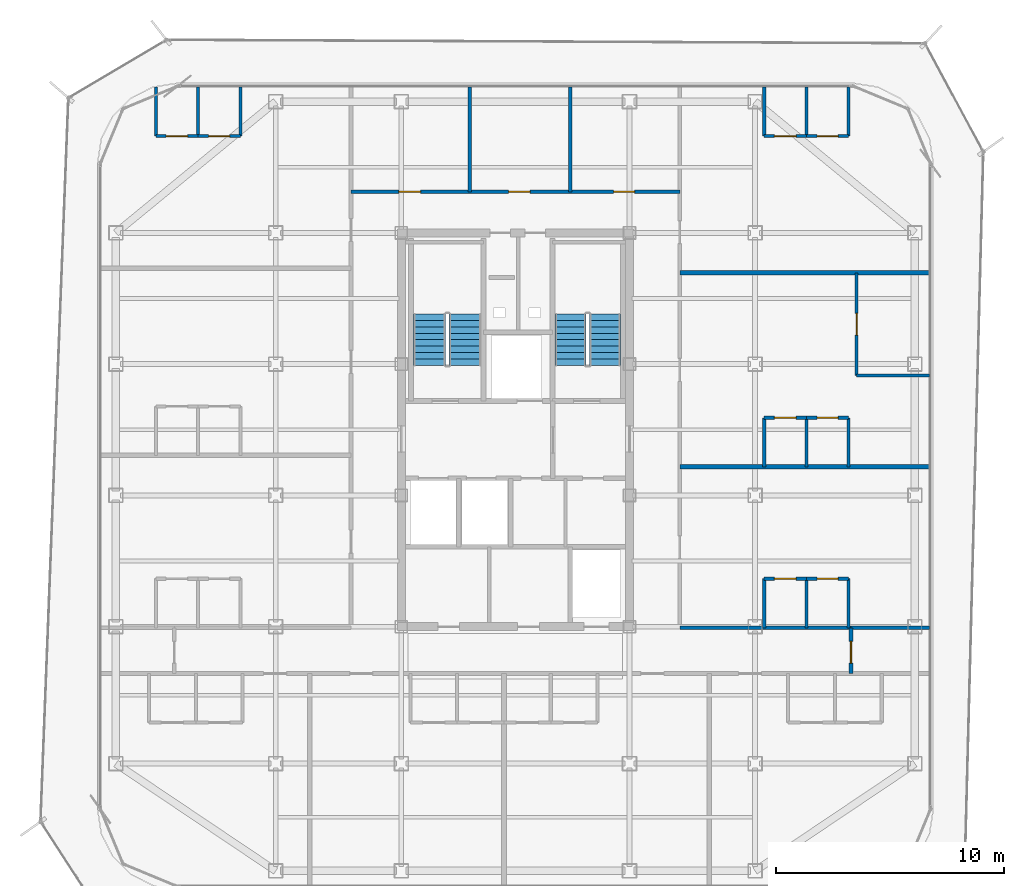
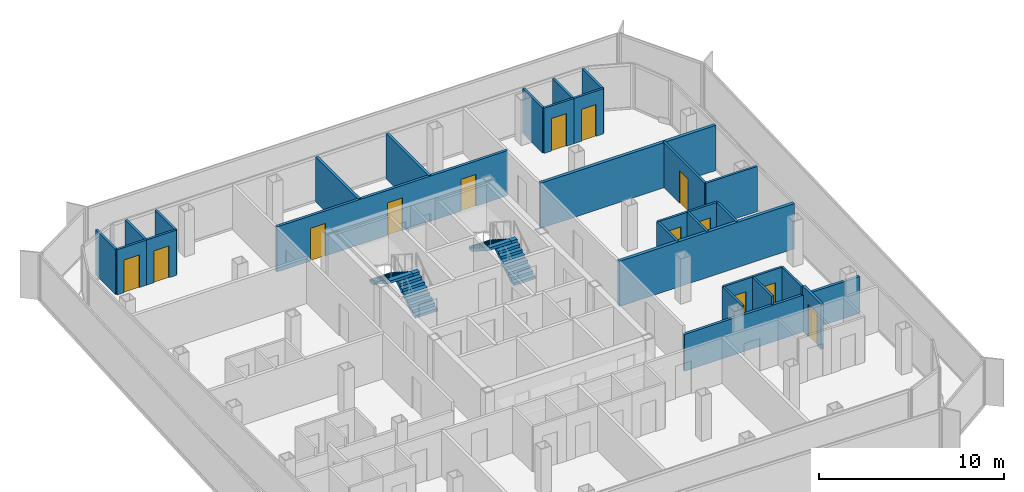
# One storey, part 12 of 16: 30 walls, 13 doors, 4 stair flights, 13 openings, 2 elements without a shape of their own.
"""IFC4 building model written with IfcOpenShell, lengths in metres."""

from ifc_helpers import new_model, si_unit, direction, frame, frame_2d, origin, place, context, subcontext, project, spatial, polyline, rectangle, outline, extrude, material, layer, layer_set, type_object, element, fill, aggregate, save


model = new_model("IFC4")

# Units and contexts
model_context = context("Model", 3, precision=1e-05, world=origin(), true_north=direction((0.0, 1.0)))
body_context = subcontext(model_context, "Body", "Model", "MODEL_VIEW")
ifc_project = project(units=[si_unit("LENGTHUNIT", "METRE"), si_unit("AREAUNIT", "SQUARE_METRE"), si_unit("VOLUMEUNIT", "CUBIC_METRE"), si_unit("PLANEANGLEUNIT", "RADIAN"), si_unit("MASSUNIT", "GRAM", prefix="KILO")], contexts=[model_context])

# Site, building, storey
site_placement = place(None, origin())
site = spatial("IfcSite", under=ifc_project, at=site_placement, CompositionType="ELEMENT")
building_placement = place(site_placement, origin())
building = spatial("IfcBuilding", under=site, at=building_placement, Name="Kolveth Station Tower", CompositionType="ELEMENT")
storey_placement = place(building_placement, frame((0.0, 0.0, 236.10009765625)))
storey = spatial("IfcBuildingStorey", under=building, at=storey_placement, Name="L67", CompositionType="ELEMENT", Elevation=236.10009765625)

# Wall, opening, door
ifc_material_1 = material(Name="Moisture-resistant gypsum partition")
ifc_layer_1 = layer(ifc_material_1, 0.135009765625)
ifc_layer_set_1 = layer_set([ifc_layer_1], Name="Moisture-resistant gypsum partition")
wall_type_1 = type_object("IfcWallType", Name="Wall_IW-135", PredefinedType="PARTITIONING", material=ifc_layer_set_1)
wall_1_placement = place(storey_placement, frame((7.75, 32.989990234375, 0.0), z_axis=(0.0, 0.0, 1.0), x_axis=(1.0, 0.0, 0.0)))
wall_1 = element("IfcWall", 1, at=wall_1_placement, inside=storey, type_object=wall_type_1, Name="L67 Partition Wall WL-L67-W3-IBHK", PredefinedType="PARTITIONING", context=body_context, shape_type="SweptSolid", body=[
    extrude(rectangle(XDim=1.85009765625, YDim=0.135009765625, at=frame_2d((0.925048828125, 0.0))), origin(), (0.0, 0.0, 1.0), 2.97998046875),
])
opening_1_placement = place(wall_1_placement, frame((0.445068359375, 0.0, 0.0)))
opening_1 = element("IfcOpeningElement", 2, at=opening_1_placement, cuts=wall_1, Name="Opening ID1", PredefinedType="OPENING", context=body_context, shape_type="SweptSolid", body=[
    extrude(rectangle(XDim=0.949951171875, YDim=2.14990234375, at=frame_2d((0.47509765625, 1.074951171875))), frame((0.0, 0.077392578125, 0.0), z_axis=(0.0, -1.0, 0.0), x_axis=(1.0, 0.0, 0.0)), (0.0, 0.0, 1.0), 0.155029296875),
])
ifc_material_2 = material(Name="Acoustic hardwood leaf and aluminium frame", Category="wood")
door_type_1 = type_object("IfcDoorType", Name="Door_ID1", OperationType="NOTDEFINED", PredefinedType="DOOR", material=ifc_material_2)
door_1_placement = place(opening_1_placement, frame((0.949951171875, 0.0, 0.0), z_axis=(0.0, 0.0, 1.0), x_axis=(-1.0, 0.0, 0.0)))
door_1 = element("IfcDoor", 3, at=door_1_placement, inside=storey, type_object=door_type_1, Name="Flat L67-W3 Kitchen Door", OperationType="SINGLE_SWING_LEFT", OverallHeight=2.14990234375, OverallWidth=0.949951171875, PredefinedType="DOOR", context=body_context, shape_type="SweptSolid", body=[
    extrude(rectangle(XDim=0.949951171875, YDim=2.14990234375, at=frame_2d((0.47509765625, 1.074951171875))), frame((0.0, 0.02490234375, 0.0), z_axis=(0.0, -1.0, 0.0), x_axis=(1.0, 0.0, 0.0)), (0.0, 0.0, 1.0), 0.050048828125),
])
fill(opening_1, door_1)

wall_2_placement = place(storey_placement, frame((9.60009765625, 32.989990234375, 0.0), z_axis=(0.0, 0.0, 1.0), x_axis=(1.0, 0.0, 0.0)))
wall_2 = element("IfcWall", 4, at=wall_2_placement, inside=storey, type_object=wall_type_1, Name="L67 Partition Wall WL-L67-W3-IBHB", PredefinedType="PARTITIONING", context=body_context, shape_type="SweptSolid", body=[
    extrude(rectangle(XDim=1.849853515625, YDim=0.135009765625, at=frame_2d((0.9248046875, 0.0))), origin(), (0.0, 0.0, 1.0), 2.97998046875),
])
opening_2_placement = place(wall_2_placement, frame((0.465087890625, 0.0, 0.0)))
opening_2 = element("IfcOpeningElement", 5, at=opening_2_placement, cuts=wall_2, Name="Opening ID2", PredefinedType="OPENING", context=body_context, shape_type="SweptSolid", body=[
    extrude(rectangle(XDim=0.919921875, YDim=2.10009765625, at=frame_2d((0.4599609375, 1.050048828125))), frame((0.0, 0.077392578125, 0.0), z_axis=(0.0, -1.0, 0.0), x_axis=(1.0, 0.0, 0.0)), (0.0, 0.0, 1.0), 0.155029296875),
])
ifc_material_3 = material(Name="Moisture-resistant hardwood leaf", Category="wood")
door_type_2 = type_object("IfcDoorType", Name="Door_ID2", OperationType="NOTDEFINED", PredefinedType="DOOR", material=ifc_material_3)
door_2_placement = place(opening_2_placement, frame((0.919921875, 0.0, 0.0), z_axis=(0.0, 0.0, 1.0), x_axis=(-1.0, 0.0, 0.0)))
door_2 = element("IfcDoor", 6, at=door_2_placement, inside=storey, type_object=door_type_2, Name="Flat L67-W3 Bathroom Door", OperationType="SINGLE_SWING_LEFT", OverallHeight=2.10009765625, OverallWidth=0.919921875, PredefinedType="DOOR", context=body_context, shape_type="SweptSolid", body=[
    extrude(rectangle(XDim=0.919921875, YDim=2.10009765625, at=frame_2d((0.4599609375, 1.050048828125))), frame((0.0, 0.02490234375, 0.0), z_axis=(0.0, -1.0, 0.0), x_axis=(1.0, 0.0, 0.0)), (0.0, 0.0, 1.0), 0.050048828125),
])
fill(opening_2, door_2)

# Walls
for number, where, z_axis, x_axis, name in (
    (7, (7.75, 32.989990234375, 0.0), (0.0, 0.0, 1.0), (0.0, 1.0, 0.0), "L67 Partition Wall WL-L67-W3-IBV0"),
    (8, (9.60009765625, 32.989990234375, 0.0), (0.0, 0.0, 1.0), (0.0, 1.0, 0.0), "L67 Partition Wall WL-L67-W3-IBV1"),
    (9, (11.449951171875, 32.989990234375, 0.0), (0.0, 0.0, 1.0), (0.0, 1.0, 0.0), "L67 Partition Wall WL-L67-W3-IBV2"),
):
    element("IfcWall", number, at=place(storey_placement, frame(where, z_axis=z_axis, x_axis=x_axis)), inside=storey, type_object=wall_type_1, Name=name, PredefinedType="PARTITIONING", context=body_context, shape_type="SweptSolid", body=[
        extrude(rectangle(XDim=2.14990234375, YDim=0.135009765625, at=frame_2d((1.074951171875, 0.0))), origin(), (0.0, 0.0, 1.0), 2.97998046875),
    ])

# Wall, opening, door
wall_3_placement = place(storey_placement, frame((34.39990234375, 13.60009765625, 0.0), z_axis=(0.0, 0.0, 1.0), x_axis=(1.0, 0.0, 0.0)))
wall_3 = element("IfcWall", 10, at=wall_3_placement, inside=storey, type_object=wall_type_1, Name="L67 Partition Wall WL-L67-E1-IBHK", PredefinedType="PARTITIONING", context=body_context, shape_type="SweptSolid", body=[
    extrude(rectangle(XDim=1.85009765625, YDim=0.135009765625, at=frame_2d((0.925048828125, 0.0))), origin(), (0.0, 0.0, 1.0), 2.97998046875),
])
opening_3_placement = place(wall_3_placement, frame((0.445068359375, 0.0, 0.0)))
opening_3 = element("IfcOpeningElement", 11, at=opening_3_placement, cuts=wall_3, Name="Opening ID1", PredefinedType="OPENING", context=body_context, shape_type="SweptSolid", body=[
    extrude(rectangle(XDim=0.949951171875, YDim=2.14990234375, at=frame_2d((0.47509765625, 1.074951171875))), frame((0.0, 0.077392578125, 0.0), z_axis=(0.0, -1.0, 0.0), x_axis=(1.0, 0.0, 0.0)), (0.0, 0.0, 1.0), 0.155029296875),
])
door_3_placement = place(opening_3_placement, origin())
door_3 = element("IfcDoor", 12, at=door_3_placement, inside=storey, type_object=door_type_1, Name="Flat L67-E1 Kitchen Door", OperationType="SINGLE_SWING_RIGHT", OverallHeight=2.14990234375, OverallWidth=0.949951171875, PredefinedType="DOOR", context=body_context, shape_type="SweptSolid", body=[
    extrude(rectangle(XDim=0.949951171875, YDim=2.14990234375, at=frame_2d((0.47509765625, 1.074951171875))), frame((0.0, 0.02490234375, 0.0), z_axis=(0.0, -1.0, 0.0), x_axis=(1.0, 0.0, 0.0)), (0.0, 0.0, 1.0), 0.050048828125),
])
fill(opening_3, door_3)

wall_4_placement = place(storey_placement, frame((36.25, 13.60009765625, 0.0), z_axis=(0.0, 0.0, 1.0), x_axis=(1.0, 0.0, 0.0)))
wall_4 = element("IfcWall", 13, at=wall_4_placement, inside=storey, type_object=wall_type_1, Name="L67 Partition Wall WL-L67-E1-IBHB", PredefinedType="PARTITIONING", context=body_context, shape_type="SweptSolid", body=[
    extrude(rectangle(XDim=1.85009765625, YDim=0.135009765625, at=frame_2d((0.925048828125, 0.0))), origin(), (0.0, 0.0, 1.0), 2.97998046875),
])
opening_4_placement = place(wall_4_placement, frame((0.465087890625, 0.0, 0.0)))
opening_4 = element("IfcOpeningElement", 14, at=opening_4_placement, cuts=wall_4, Name="Opening ID2", PredefinedType="OPENING", context=body_context, shape_type="SweptSolid", body=[
    extrude(rectangle(XDim=0.919921875, YDim=2.10009765625, at=frame_2d((0.4599609375, 1.050048828125))), frame((0.0, 0.077392578125, 0.0), z_axis=(0.0, -1.0, 0.0), x_axis=(1.0, 0.0, 0.0)), (0.0, 0.0, 1.0), 0.155029296875),
])
door_4_placement = place(opening_4_placement, origin())
door_4 = element("IfcDoor", 15, at=door_4_placement, inside=storey, type_object=door_type_2, Name="Flat L67-E1 Bathroom Door", OperationType="SINGLE_SWING_LEFT", OverallHeight=2.10009765625, OverallWidth=0.919921875, PredefinedType="DOOR", context=body_context, shape_type="SweptSolid", body=[
    extrude(rectangle(XDim=0.919921875, YDim=2.10009765625, at=frame_2d((0.4599609375, 1.050048828125))), frame((0.0, 0.02490234375, 0.0), z_axis=(0.0, -1.0, 0.0), x_axis=(1.0, 0.0, 0.0)), (0.0, 0.0, 1.0), 0.050048828125),
])
fill(opening_4, door_4)

# Walls
for number, where, z_axis, x_axis, name in (
    (16, (34.39990234375, 11.449951171875, 0.0), (0.0, 0.0, 1.0), (0.0, 1.0, 0.0), "L67 Partition Wall WL-L67-E1-IBV0"),
    (17, (36.25, 11.449951171875, 0.0), (0.0, 0.0, 1.0), (0.0, 1.0, 0.0), "L67 Partition Wall WL-L67-E1-IBV1"),
    (18, (38.10009765625, 11.449951171875, 0.0), (0.0, 0.0, 1.0), (0.0, 1.0, 0.0), "L67 Partition Wall WL-L67-E1-IBV2"),
):
    element("IfcWall", number, at=place(storey_placement, frame(where, z_axis=z_axis, x_axis=x_axis)), inside=storey, type_object=wall_type_1, Name=name, PredefinedType="PARTITIONING", context=body_context, shape_type="SweptSolid", body=[
        extrude(rectangle(XDim=2.150146484375, YDim=0.135009765625, at=frame_2d((1.0751953125, 0.0))), origin(), (0.0, 0.0, 1.0), 2.97998046875),
    ])

# Wall, opening, door
wall_5_placement = place(storey_placement, frame((34.39990234375, 20.64990234375, 0.0), z_axis=(0.0, 0.0, 1.0), x_axis=(1.0, 0.0, 0.0)))
wall_5 = element("IfcWall", 19, at=wall_5_placement, inside=storey, type_object=wall_type_1, Name="L67 Partition Wall WL-L67-E2-IBHK", PredefinedType="PARTITIONING", context=body_context, shape_type="SweptSolid", body=[
    extrude(rectangle(XDim=1.85009765625, YDim=0.135009765625, at=frame_2d((0.925048828125, 0.0))), origin(), (0.0, 0.0, 1.0), 2.97998046875),
])
opening_5_placement = place(wall_5_placement, frame((0.445068359375, 0.0, 0.0)))
opening_5 = element("IfcOpeningElement", 20, at=opening_5_placement, cuts=wall_5, Name="Opening ID1", PredefinedType="OPENING", context=body_context, shape_type="SweptSolid", body=[
    extrude(rectangle(XDim=0.949951171875, YDim=2.14990234375, at=frame_2d((0.47509765625, 1.074951171875))), frame((0.0, 0.077392578125, 0.0), z_axis=(0.0, -1.0, 0.0), x_axis=(1.0, 0.0, 0.0)), (0.0, 0.0, 1.0), 0.155029296875),
])
door_5_placement = place(opening_5_placement, origin())
door_5 = element("IfcDoor", 21, at=door_5_placement, inside=storey, type_object=door_type_1, Name="Flat L67-E2 Kitchen Door", OperationType="SINGLE_SWING_LEFT", OverallHeight=2.14990234375, OverallWidth=0.949951171875, PredefinedType="DOOR", context=body_context, shape_type="SweptSolid", body=[
    extrude(rectangle(XDim=0.949951171875, YDim=2.14990234375, at=frame_2d((0.47509765625, 1.074951171875))), frame((0.0, 0.02490234375, 0.0), z_axis=(0.0, -1.0, 0.0), x_axis=(1.0, 0.0, 0.0)), (0.0, 0.0, 1.0), 0.050048828125),
])
fill(opening_5, door_5)

wall_6_placement = place(storey_placement, frame((36.25, 20.64990234375, 0.0), z_axis=(0.0, 0.0, 1.0), x_axis=(1.0, 0.0, 0.0)))
wall_6 = element("IfcWall", 22, at=wall_6_placement, inside=storey, type_object=wall_type_1, Name="L67 Partition Wall WL-L67-E2-IBHB", PredefinedType="PARTITIONING", context=body_context, shape_type="SweptSolid", body=[
    extrude(rectangle(XDim=1.85009765625, YDim=0.135009765625, at=frame_2d((0.925048828125, 0.0))), origin(), (0.0, 0.0, 1.0), 2.97998046875),
])
opening_6_placement = place(wall_6_placement, frame((0.465087890625, 0.0, 0.0)))
opening_6 = element("IfcOpeningElement", 23, at=opening_6_placement, cuts=wall_6, Name="Opening ID2", PredefinedType="OPENING", context=body_context, shape_type="SweptSolid", body=[
    extrude(rectangle(XDim=0.919921875, YDim=2.10009765625, at=frame_2d((0.4599609375, 1.050048828125))), frame((0.0, 0.077392578125, 0.0), z_axis=(0.0, -1.0, 0.0), x_axis=(1.0, 0.0, 0.0)), (0.0, 0.0, 1.0), 0.155029296875),
])
door_6_placement = place(opening_6_placement, origin())
door_6 = element("IfcDoor", 24, at=door_6_placement, inside=storey, type_object=door_type_2, Name="Flat L67-E2 Bathroom Door", OperationType="SINGLE_SWING_RIGHT", OverallHeight=2.10009765625, OverallWidth=0.919921875, PredefinedType="DOOR", context=body_context, shape_type="SweptSolid", body=[
    extrude(rectangle(XDim=0.919921875, YDim=2.10009765625, at=frame_2d((0.4599609375, 1.050048828125))), frame((0.0, 0.02490234375, 0.0), z_axis=(0.0, -1.0, 0.0), x_axis=(1.0, 0.0, 0.0)), (0.0, 0.0, 1.0), 0.050048828125),
])
fill(opening_6, door_6)

# Walls
for number, where, z_axis, x_axis, name in (
    (25, (34.39990234375, 18.5, 0.0), (0.0, 0.0, 1.0), (0.0, 1.0, 0.0), "L67 Partition Wall WL-L67-E2-IBV0"),
    (26, (36.25, 18.5, 0.0), (0.0, 0.0, 1.0), (0.0, 1.0, 0.0), "L67 Partition Wall WL-L67-E2-IBV1"),
    (27, (38.10009765625, 18.5, 0.0), (0.0, 0.0, 1.0), (0.0, 1.0, 0.0), "L67 Partition Wall WL-L67-E2-IBV2"),
):
    element("IfcWall", number, at=place(storey_placement, frame(where, z_axis=z_axis, x_axis=x_axis)), inside=storey, type_object=wall_type_1, Name=name, PredefinedType="PARTITIONING", context=body_context, shape_type="SweptSolid", body=[
        extrude(rectangle(XDim=2.14990234375, YDim=0.135009765625, at=frame_2d((1.074951171875, 0.0))), origin(), (0.0, 0.0, 1.0), 2.97998046875),
    ])
wall_7_placement = place(storey_placement, frame((38.449951171875, 22.5, 0.0), z_axis=(0.0, 0.0, 1.0), x_axis=(1.0, 0.0, 0.0)))
element("IfcWall", 28, at=wall_7_placement, inside=storey, type_object=wall_type_1, Name="L67 Partition Wall WL-L67-E2-BDH0", PredefinedType="PARTITIONING", context=body_context, shape_type="SweptSolid", body=[
    extrude(rectangle(XDim=3.18994140625, YDim=0.135009765625, at=frame_2d((1.594970703125, 0.0))), origin(), (0.0, 0.0, 1.0), 2.97998046875),
])

# Wall, opening, door
wall_8_placement = place(storey_placement, frame((38.449951171875, 22.5, 0.0), z_axis=(0.0, 0.0, 1.0), x_axis=(0.0, 1.0, 0.0)))
wall_8 = element("IfcWall", 29, at=wall_8_placement, inside=storey, type_object=wall_type_1, Name="L67 Partition Wall WL-L67-E2-BDV1", PredefinedType="PARTITIONING", context=body_context, shape_type="SweptSolid", body=[
    extrude(rectangle(XDim=4.5, YDim=0.135009765625, at=frame_2d((2.25, 0.0))), origin(), (0.0, 0.0, 1.0), 2.97998046875),
])
opening_7_placement = place(wall_8_placement, frame((1.77001953125, 0.0, 0.0)))
opening_7 = element("IfcOpeningElement", 30, at=opening_7_placement, cuts=wall_8, Name="Opening ID1", PredefinedType="OPENING", context=body_context, shape_type="SweptSolid", body=[
    extrude(rectangle(XDim=0.949951171875, YDim=2.14990234375, at=frame_2d((0.47509765625, 1.074951171875))), frame((0.0, 0.077392578125, 0.0), z_axis=(0.0, -1.0, 0.0), x_axis=(1.0, 0.0, 0.0)), (0.0, 0.0, 1.0), 0.155029296875),
])
door_7_placement = place(opening_7_placement, frame((0.949951171875, 0.0, 0.0), z_axis=(0.0, 0.0, 1.0), x_axis=(-1.0, 0.0, 0.0)))
door_7 = element("IfcDoor", 31, at=door_7_placement, inside=storey, type_object=door_type_1, Name="Flat L67-E2 Bedroom 1 Door", OperationType="SINGLE_SWING_LEFT", OverallHeight=2.14990234375, OverallWidth=0.949951171875, PredefinedType="DOOR", context=body_context, shape_type="SweptSolid", body=[
    extrude(rectangle(XDim=0.949951171875, YDim=2.14990234375, at=frame_2d((0.47509765625, 1.074951171875))), frame((0.0, 0.02490234375, 0.0), z_axis=(0.0, -1.0, 0.0), x_axis=(1.0, 0.0, 0.0)), (0.0, 0.0, 1.0), 0.050048828125),
])
fill(opening_7, door_7)

wall_9_placement = place(storey_placement, frame((34.39990234375, 32.989990234375, 0.0), z_axis=(0.0, 0.0, 1.0), x_axis=(1.0, 0.0, 0.0)))
wall_9 = element("IfcWall", 32, at=wall_9_placement, inside=storey, type_object=wall_type_1, Name="L67 Partition Wall WL-L67-E3-IBHK", PredefinedType="PARTITIONING", context=body_context, shape_type="SweptSolid", body=[
    extrude(rectangle(XDim=1.85009765625, YDim=0.135009765625, at=frame_2d((0.925048828125, 0.0))), origin(), (0.0, 0.0, 1.0), 2.97998046875),
])
opening_8_placement = place(wall_9_placement, frame((0.445068359375, 0.0, 0.0)))
opening_8 = element("IfcOpeningElement", 33, at=opening_8_placement, cuts=wall_9, Name="Opening ID1", PredefinedType="OPENING", context=body_context, shape_type="SweptSolid", body=[
    extrude(rectangle(XDim=0.949951171875, YDim=2.14990234375, at=frame_2d((0.47509765625, 1.074951171875))), frame((0.0, 0.077392578125, 0.0), z_axis=(0.0, -1.0, 0.0), x_axis=(1.0, 0.0, 0.0)), (0.0, 0.0, 1.0), 0.155029296875),
])
door_8_placement = place(opening_8_placement, frame((0.949951171875, 0.0, 0.0), z_axis=(0.0, 0.0, 1.0), x_axis=(-1.0, 0.0, 0.0)))
door_8 = element("IfcDoor", 34, at=door_8_placement, inside=storey, type_object=door_type_1, Name="Flat L67-E3 Kitchen Door", OperationType="SINGLE_SWING_LEFT", OverallHeight=2.14990234375, OverallWidth=0.949951171875, PredefinedType="DOOR", context=body_context, shape_type="SweptSolid", body=[
    extrude(rectangle(XDim=0.949951171875, YDim=2.14990234375, at=frame_2d((0.47509765625, 1.074951171875))), frame((0.0, 0.02490234375, 0.0), z_axis=(0.0, -1.0, 0.0), x_axis=(1.0, 0.0, 0.0)), (0.0, 0.0, 1.0), 0.050048828125),
])
fill(opening_8, door_8)

wall_10_placement = place(storey_placement, frame((36.25, 32.989990234375, 0.0), z_axis=(0.0, 0.0, 1.0), x_axis=(1.0, 0.0, 0.0)))
wall_10 = element("IfcWall", 35, at=wall_10_placement, inside=storey, type_object=wall_type_1, Name="L67 Partition Wall WL-L67-E3-IBHB", PredefinedType="PARTITIONING", context=body_context, shape_type="SweptSolid", body=[
    extrude(rectangle(XDim=1.85009765625, YDim=0.135009765625, at=frame_2d((0.925048828125, 0.0))), origin(), (0.0, 0.0, 1.0), 2.97998046875),
])
opening_9_placement = place(wall_10_placement, frame((0.465087890625, 0.0, 0.0)))
opening_9 = element("IfcOpeningElement", 36, at=opening_9_placement, cuts=wall_10, Name="Opening ID2", PredefinedType="OPENING", context=body_context, shape_type="SweptSolid", body=[
    extrude(rectangle(XDim=0.919921875, YDim=2.10009765625, at=frame_2d((0.4599609375, 1.050048828125))), frame((0.0, 0.077392578125, 0.0), z_axis=(0.0, -1.0, 0.0), x_axis=(1.0, 0.0, 0.0)), (0.0, 0.0, 1.0), 0.155029296875),
])
door_9_placement = place(opening_9_placement, frame((0.919921875, 0.0, 0.0), z_axis=(0.0, 0.0, 1.0), x_axis=(-1.0, 0.0, 0.0)))
door_9 = element("IfcDoor", 37, at=door_9_placement, inside=storey, type_object=door_type_2, Name="Flat L67-E3 Bathroom Door", OperationType="SINGLE_SWING_LEFT", OverallHeight=2.10009765625, OverallWidth=0.919921875, PredefinedType="DOOR", context=body_context, shape_type="SweptSolid", body=[
    extrude(rectangle(XDim=0.919921875, YDim=2.10009765625, at=frame_2d((0.4599609375, 1.050048828125))), frame((0.0, 0.02490234375, 0.0), z_axis=(0.0, -1.0, 0.0), x_axis=(1.0, 0.0, 0.0)), (0.0, 0.0, 1.0), 0.050048828125),
])
fill(opening_9, door_9)

# Walls
for number, where, z_axis, x_axis, name in (
    (38, (34.39990234375, 32.989990234375, 0.0), (0.0, 0.0, 1.0), (0.0, 1.0, 0.0), "L67 Partition Wall WL-L67-E3-IBV0"),
    (39, (36.25, 32.989990234375, 0.0), (0.0, 0.0, 1.0), (0.0, 1.0, 0.0), "L67 Partition Wall WL-L67-E3-IBV1"),
    (40, (38.10009765625, 32.989990234375, 0.0), (0.0, 0.0, 1.0), (0.0, 1.0, 0.0), "L67 Partition Wall WL-L67-E3-IBV2"),
):
    element("IfcWall", number, at=place(storey_placement, frame(where, z_axis=z_axis, x_axis=x_axis)), inside=storey, type_object=wall_type_1, Name=name, PredefinedType="PARTITIONING", context=body_context, shape_type="SweptSolid", body=[
        extrude(rectangle(XDim=2.14990234375, YDim=0.135009765625, at=frame_2d((1.074951171875, 0.0))), origin(), (0.0, 0.0, 1.0), 2.97998046875),
    ])
ifc_material_4 = material(Name="Acoustic double-stud gypsum partition")
ifc_layer_2 = layer(ifc_material_4, 0.1650390625)
ifc_layer_set_2 = layer_set([ifc_layer_2], Name="Acoustic double-stud gypsum partition")
wall_type_2 = type_object("IfcWallType", Name="Wall_IW-165", PredefinedType="PARTITIONING", material=ifc_layer_set_2)
wall_11_placement = place(storey_placement, frame((30.699951171875, 11.449951171875, 0.0), z_axis=(0.0, 0.0, 1.0), x_axis=(1.0, 0.0, 0.0)))
element("IfcWall", 41, at=wall_11_placement, inside=storey, type_object=wall_type_2, Name="L67 Partition Wall WL-L67-RSET", PredefinedType="PARTITIONING", context=body_context, shape_type="SweptSolid", body=[
    extrude(rectangle(XDim=7.5, YDim=0.1650390625, at=frame_2d((3.75, 0.0))), origin(), (0.0, 0.0, 1.0), 2.427978515625),
])

# Wall, opening, door
wall_12_placement = place(storey_placement, frame((38.199951171875, 9.449951171875, 0.0), z_axis=(0.0, 0.0, 1.0), x_axis=(0.0, 1.0, 0.0)))
wall_12 = element("IfcWall", 42, at=wall_12_placement, inside=storey, type_object=wall_type_2, Name="L67 Partition Wall WL-L67-RSEE", PredefinedType="PARTITIONING", context=body_context, shape_type="SweptSolid", body=[
    extrude(rectangle(XDim=2.0, YDim=0.1650390625, at=frame_2d((1.0, 0.0))), origin(), (0.0, 0.0, 1.0), 2.97998046875),
])
opening_10_placement = place(wall_12_placement, frame((0.449951171875, 0.0, 0.0)))
opening_10 = element("IfcOpeningElement", 43, at=opening_10_placement, cuts=wall_12, Name="Opening ID1", PredefinedType="OPENING", context=body_context, shape_type="SweptSolid", body=[
    extrude(rectangle(XDim=0.949951171875, YDim=2.14990234375, at=frame_2d((0.47509765625, 1.074951171875))), frame((0.0, 0.092529296875, 0.0), z_axis=(0.0, -1.0, 0.0), x_axis=(1.0, 0.0, 0.0)), (0.0, 0.0, 1.0), 0.18505859375),
])
door_10_placement = place(opening_10_placement, origin())
door_10 = element("IfcDoor", 44, at=door_10_placement, inside=storey, type_object=door_type_1, Name="L67 Hobby Study Door", OperationType="SINGLE_SWING_RIGHT", OverallHeight=2.14990234375, OverallWidth=0.949951171875, PredefinedType="DOOR", context=body_context, shape_type="SweptSolid", body=[
    extrude(rectangle(XDim=0.949951171875, YDim=2.14990234375, at=frame_2d((0.47509765625, 1.074951171875))), frame((0.0, 0.02490234375, 0.0), z_axis=(0.0, -1.0, 0.0), x_axis=(1.0, 0.0, 0.0)), (0.0, 0.0, 1.0), 0.050048828125),
])
fill(opening_10, door_10)

# Wall, openings, doors
wall_13_placement = place(storey_placement, frame((16.300048828125, 30.550048828125, 0.0), z_axis=(0.0, 0.0, 1.0), x_axis=(1.0, 0.0, 0.0)))
wall_13 = element("IfcWall", 45, at=wall_13_placement, inside=storey, type_object=wall_type_2, Name="L67 Partition Wall WL-L67-RN", PredefinedType="PARTITIONING", context=body_context, shape_type="SweptSolid", body=[
    extrude(rectangle(XDim=14.39990234375, YDim=0.1650390625, at=frame_2d((7.199951171875, 0.0))), origin(), (0.0, 0.0, 1.0), 2.97998046875),
])
opening_11_placement = place(wall_13_placement, frame((2.10009765625, 0.0, 0.0)))
opening_11 = element("IfcOpeningElement", 46, at=opening_11_placement, cuts=wall_13, Name="Opening ID1", PredefinedType="OPENING", context=body_context, shape_type="SweptSolid", body=[
    extrude(rectangle(XDim=0.949951171875, YDim=2.14990234375, at=frame_2d((0.47509765625, 1.074951171875))), frame((0.0, 0.092529296875, 0.0), z_axis=(0.0, -1.0, 0.0), x_axis=(1.0, 0.0, 0.0)), (0.0, 0.0, 1.0), 0.18505859375),
])
opening_12_placement = place(wall_13_placement, frame((6.89990234375, 0.0, 0.0)))
opening_12 = element("IfcOpeningElement", 47, at=opening_12_placement, cuts=wall_13, Name="Opening ID1", PredefinedType="OPENING", context=body_context, shape_type="SweptSolid", body=[
    extrude(rectangle(XDim=0.949951171875, YDim=2.14990234375, at=frame_2d((0.47509765625, 1.074951171875))), frame((0.0, 0.092529296875, 0.0), z_axis=(0.0, -1.0, 0.0), x_axis=(1.0, 0.0, 0.0)), (0.0, 0.0, 1.0), 0.18505859375),
])
opening_13_placement = place(wall_13_placement, frame((11.5, 0.0, 0.0)))
opening_13 = element("IfcOpeningElement", 48, at=opening_13_placement, cuts=wall_13, Name="Opening ID2", PredefinedType="OPENING", context=body_context, shape_type="SweptSolid", body=[
    extrude(rectangle(XDim=0.919921875, YDim=2.10009765625, at=frame_2d((0.4599609375, 1.050048828125))), frame((0.0, 0.092529296875, 0.0), z_axis=(0.0, -1.0, 0.0), x_axis=(1.0, 0.0, 0.0)), (0.0, 0.0, 1.0), 0.18505859375),
])
door_11_placement = place(opening_11_placement, origin())
door_11 = element("IfcDoor", 49, at=door_11_placement, inside=storey, type_object=door_type_1, Name="L67 Quiet Study 1 Door", OperationType="SINGLE_SWING_RIGHT", OverallHeight=2.14990234375, OverallWidth=0.949951171875, PredefinedType="DOOR", context=body_context, shape_type="SweptSolid", body=[
    extrude(rectangle(XDim=0.949951171875, YDim=2.14990234375, at=frame_2d((0.47509765625, 1.074951171875))), frame((0.0, 0.02490234375, 0.0), z_axis=(0.0, -1.0, 0.0), x_axis=(1.0, 0.0, 0.0)), (0.0, 0.0, 1.0), 0.050048828125),
])
fill(opening_11, door_11)
door_12_placement = place(opening_12_placement, origin())
door_12 = element("IfcDoor", 50, at=door_12_placement, inside=storey, type_object=door_type_1, Name="L67 Quiet Study 2 Door", OperationType="SINGLE_SWING_LEFT", OverallHeight=2.14990234375, OverallWidth=0.949951171875, PredefinedType="DOOR", context=body_context, shape_type="SweptSolid", body=[
    extrude(rectangle(XDim=0.949951171875, YDim=2.14990234375, at=frame_2d((0.47509765625, 1.074951171875))), frame((0.0, 0.02490234375, 0.0), z_axis=(0.0, -1.0, 0.0), x_axis=(1.0, 0.0, 0.0)), (0.0, 0.0, 1.0), 0.050048828125),
])
fill(opening_12, door_12)
door_13_placement = place(opening_13_placement, origin())
door_13 = element("IfcDoor", 51, at=door_13_placement, inside=storey, type_object=door_type_2, Name="L67 Accessible Residents' WC Door", OperationType="SINGLE_SWING_RIGHT", OverallHeight=2.10009765625, OverallWidth=0.919921875, PredefinedType="DOOR", context=body_context, shape_type="SweptSolid", body=[
    extrude(rectangle(XDim=0.919921875, YDim=2.10009765625, at=frame_2d((0.4599609375, 1.050048828125))), frame((0.0, 0.02490234375, 0.0), z_axis=(0.0, -1.0, 0.0), x_axis=(1.0, 0.0, 0.0)), (0.0, 0.0, 1.0), 0.050048828125),
])
fill(opening_13, door_13)

# Walls
wall_14_placement = place(storey_placement, frame((38.199951171875, 11.449951171875, 0.0), z_axis=(0.0, 0.0, 1.0), x_axis=(1.0, 0.0, 0.0)))
element("IfcWall", 52, at=wall_14_placement, inside=storey, type_object=wall_type_2, Name="L67 Partition Wall WL-L67-ESTN", PredefinedType="PARTITIONING", context=body_context, shape_type="SweptSolid", body=[
    extrude(rectangle(XDim=3.43994140625, YDim=0.1650390625, at=frame_2d((1.719970703125, 0.0))), origin(), (0.0, 0.0, 1.0), 2.427978515625),
])
for number, where, z_axis, x_axis, name in (
    (53, (21.5, 30.550048828125, 0.0), (0.0, 0.0, 1.0), (0.0, 1.0, 0.0), "L67 Partition Wall WL-L67-RN-P1"),
    (54, (25.89990234375, 30.550048828125, 0.0), (0.0, 0.0, 1.0), (0.0, 1.0, 0.0), "L67 Partition Wall WL-L67-RN-P2"),
):
    element("IfcWall", number, at=place(storey_placement, frame(where, z_axis=z_axis, x_axis=x_axis)), inside=storey, type_object=wall_type_2, Name=name, PredefinedType="PARTITIONING", context=body_context, shape_type="SweptSolid", body=[
        extrude(rectangle(XDim=4.58984375, YDim=0.1650390625, at=frame_2d((2.294921875, 0.0))), origin(), (0.0, 0.0, 1.0), 2.97998046875),
    ])
ifc_material_5 = material(Name="Acoustic fire-rated gypsum blockwork", Category="masonry")
ifc_layer_3 = layer(ifc_material_5, 0.199951171875)
ifc_layer_set_3 = layer_set([ifc_layer_3], Name="Acoustic fire-rated gypsum blockwork")
wall_type_3 = type_object("IfcWallType", Name="Wall_IW-200", PredefinedType="PARTITIONING", material=ifc_layer_set_3)
for number, where, z_axis, x_axis, name in (
    (55, (30.699951171875, 18.5, 0.0), (0.0, 0.0, 1.0), (1.0, 0.0, 0.0), "L67 Partition Wall WL-L67-REU-1"),
    (56, (30.699951171875, 27.0, 0.0), (0.0, 0.0, 1.0), (1.0, 0.0, 0.0), "L67 Partition Wall WL-L67-REU-2"),
):
    element("IfcWall", number, at=place(storey_placement, frame(where, z_axis=z_axis, x_axis=x_axis)), inside=storey, type_object=wall_type_3, Name=name, PredefinedType="PARTITIONING", context=body_context, shape_type="SweptSolid", body=[
        extrude(rectangle(XDim=10.93994140625, YDim=0.199951171875, at=frame_2d((5.469970703125, 0.0))), origin(), (0.0, 0.0, 1.0), 2.97998046875),
    ])

# Stair, stair flights
ifc_material_6 = material(Name="Concrete C40/50", Category="concrete")
stair_type_1 = type_object("IfcStairType", Name="Stair_ST1", PredefinedType="HALF_TURN_STAIR", material=ifc_material_6)
stair_1_placement = place(storey_placement, origin())
stair_1 = element("IfcStair", 57, at=stair_1_placement, inside=storey, type_object=stair_type_1, Name="L67 Tower Exit Stair ST1", PredefinedType="HALF_TURN_STAIR")
ifc_layer_4 = layer(ifc_material_6, 0.179931640625)
ifc_layer_set_4 = layer_set([ifc_layer_4], Name="Concrete C40/50")
stair_flight_type_1 = type_object("IfcStairFlightType", Name="Flight_ST1", PredefinedType="STRAIGHT", material=ifc_layer_set_4)
stair_flight_1_placement = place(storey_placement, frame((21.300048828125, 22.949951171875, 0.0), z_axis=(0.0, 0.0, 1.0), x_axis=(0.0, 1.0, 0.0)))
stair_flight_1 = element("IfcStairFlight", 58, at=stair_flight_1_placement, type_object=stair_flight_type_1, Name="ST1 flight 1", NumberOfRisers=9, NumberOfTreads=8, PredefinedType="STRAIGHT", RiserHeight=0.177777778, TreadLength=0.28, context=body_context, shape_type="SweptSolid", body=[
    extrude(outline(polyline([(0.0, 0.0), (0.0, 0.177734375), (0.280029296875, 0.177734375), (0.280029296875, 0.35546875), (0.56005859375, 0.35546875), (0.56005859375, 0.533447265625), (0.840087890625, 0.533447265625), (0.840087890625, 0.711181640625), (1.1201171875, 0.711181640625), (1.1201171875, 0.888916015625), (1.39990234375, 0.888916015625), (1.39990234375, 1.066650390625), (1.679931640625, 1.066650390625), (1.679931640625, 1.244384765625), (1.9599609375, 1.244384765625), (1.9599609375, 1.422119140625), (2.239990234375, 1.422119140625), (2.239990234375, 1.60009765625), (2.239990234375, 1.24462890625), (0.27978515625, 0.0), (0.0, 0.0)])), frame((0.0, 0.699951171875, 0.0), z_axis=(0.0, -1.0, 0.0), x_axis=(1.0, 0.0, 0.0)), (0.0, 0.0, 1.0), 1.39990234375),
])
stair_flight_2_placement = place(storey_placement, frame((19.739990234375, 25.18994140625, 1.599853515625), z_axis=(0.0, 0.0, 1.0), x_axis=(0.0, -1.0, 0.0)))
stair_flight_2 = element("IfcStairFlight", 59, at=stair_flight_2_placement, type_object=stair_flight_type_1, Name="ST1 flight 2", NumberOfRisers=9, NumberOfTreads=8, PredefinedType="STRAIGHT", RiserHeight=0.177777778, TreadLength=0.28, context=body_context, shape_type="SweptSolid", body=[
    extrude(outline(polyline([(0.0, 0.0), (0.0, 0.177734375), (0.280029296875, 0.177734375), (0.280029296875, 0.35546875), (0.56005859375, 0.35546875), (0.56005859375, 0.533447265625), (0.840087890625, 0.533447265625), (0.840087890625, 0.711181640625), (1.1201171875, 0.711181640625), (1.1201171875, 0.888916015625), (1.39990234375, 0.888916015625), (1.39990234375, 1.066650390625), (1.679931640625, 1.066650390625), (1.679931640625, 1.244384765625), (1.9599609375, 1.244384765625), (1.9599609375, 1.422119140625), (2.239990234375, 1.422119140625), (2.239990234375, 1.60009765625), (2.239990234375, 1.24462890625), (0.27978515625, 0.0), (0.0, 0.0)])), frame((0.0, 0.699951171875, 0.0), z_axis=(0.0, -1.0, 0.0), x_axis=(1.0, 0.0, 0.0)), (0.0, 0.0, 1.0), 1.39990234375),
])
aggregate(stair_1, [stair_flight_1, stair_flight_2])

stair_type_2 = type_object("IfcStairType", Name="Stair_ST2", PredefinedType="HALF_TURN_STAIR", material=ifc_material_6)
stair_2_placement = place(storey_placement, origin())
stair_2 = element("IfcStair", 60, at=stair_2_placement, inside=storey, type_object=stair_type_2, Name="L67 Tower Exit Stair ST2", PredefinedType="HALF_TURN_STAIR")
ifc_layer_5 = layer(ifc_material_6, 0.179931640625)
ifc_layer_set_5 = layer_set([ifc_layer_5], Name="Concrete C40/50")
stair_flight_type_2 = type_object("IfcStairFlightType", Name="Flight_ST2", PredefinedType="STRAIGHT", material=ifc_layer_set_5)
stair_flight_3_placement = place(storey_placement, frame((27.425048828125, 22.949951171875, 0.0), z_axis=(0.0, 0.0, 1.0), x_axis=(0.0, 1.0, 0.0)))
stair_flight_3 = element("IfcStairFlight", 61, at=stair_flight_3_placement, type_object=stair_flight_type_2, Name="ST2 flight 1", NumberOfRisers=9, NumberOfTreads=8, PredefinedType="STRAIGHT", RiserHeight=0.177777778, TreadLength=0.28, context=body_context, shape_type="SweptSolid", body=[
    extrude(outline(polyline([(0.0, 0.0), (0.0, 0.177734375), (0.280029296875, 0.177734375), (0.280029296875, 0.35546875), (0.56005859375, 0.35546875), (0.56005859375, 0.533447265625), (0.840087890625, 0.533447265625), (0.840087890625, 0.711181640625), (1.1201171875, 0.711181640625), (1.1201171875, 0.888916015625), (1.39990234375, 0.888916015625), (1.39990234375, 1.066650390625), (1.679931640625, 1.066650390625), (1.679931640625, 1.244384765625), (1.9599609375, 1.244384765625), (1.9599609375, 1.422119140625), (2.239990234375, 1.422119140625), (2.239990234375, 1.60009765625), (2.239990234375, 1.24462890625), (0.27978515625, 0.0), (0.0, 0.0)])), frame((0.0, 0.675048828125, 0.0), z_axis=(0.0, -1.0, 0.0), x_axis=(1.0, 0.0, 0.0)), (0.0, 0.0, 1.0), 1.35009765625),
])
stair_flight_4_placement = place(storey_placement, frame((25.9150390625, 25.18994140625, 1.599853515625), z_axis=(0.0, 0.0, 1.0), x_axis=(0.0, -1.0, 0.0)))
stair_flight_4 = element("IfcStairFlight", 62, at=stair_flight_4_placement, type_object=stair_flight_type_2, Name="ST2 flight 2", NumberOfRisers=9, NumberOfTreads=8, PredefinedType="STRAIGHT", RiserHeight=0.177777778, TreadLength=0.28, context=body_context, shape_type="SweptSolid", body=[
    extrude(outline(polyline([(0.0, 0.0), (0.0, 0.177734375), (0.280029296875, 0.177734375), (0.280029296875, 0.35546875), (0.56005859375, 0.35546875), (0.56005859375, 0.533447265625), (0.840087890625, 0.533447265625), (0.840087890625, 0.711181640625), (1.1201171875, 0.711181640625), (1.1201171875, 0.888916015625), (1.39990234375, 0.888916015625), (1.39990234375, 1.066650390625), (1.679931640625, 1.066650390625), (1.679931640625, 1.244384765625), (1.9599609375, 1.244384765625), (1.9599609375, 1.422119140625), (2.239990234375, 1.422119140625), (2.239990234375, 1.60009765625), (2.239990234375, 1.24462890625), (0.27978515625, 0.0), (0.0, 0.0)])), frame((0.0, 0.675048828125, 0.0), z_axis=(0.0, -1.0, 0.0), x_axis=(1.0, 0.0, 0.0)), (0.0, 0.0, 1.0), 1.35009765625),
])
aggregate(stair_2, [stair_flight_3, stair_flight_4])

save(model, "model.ifc")
